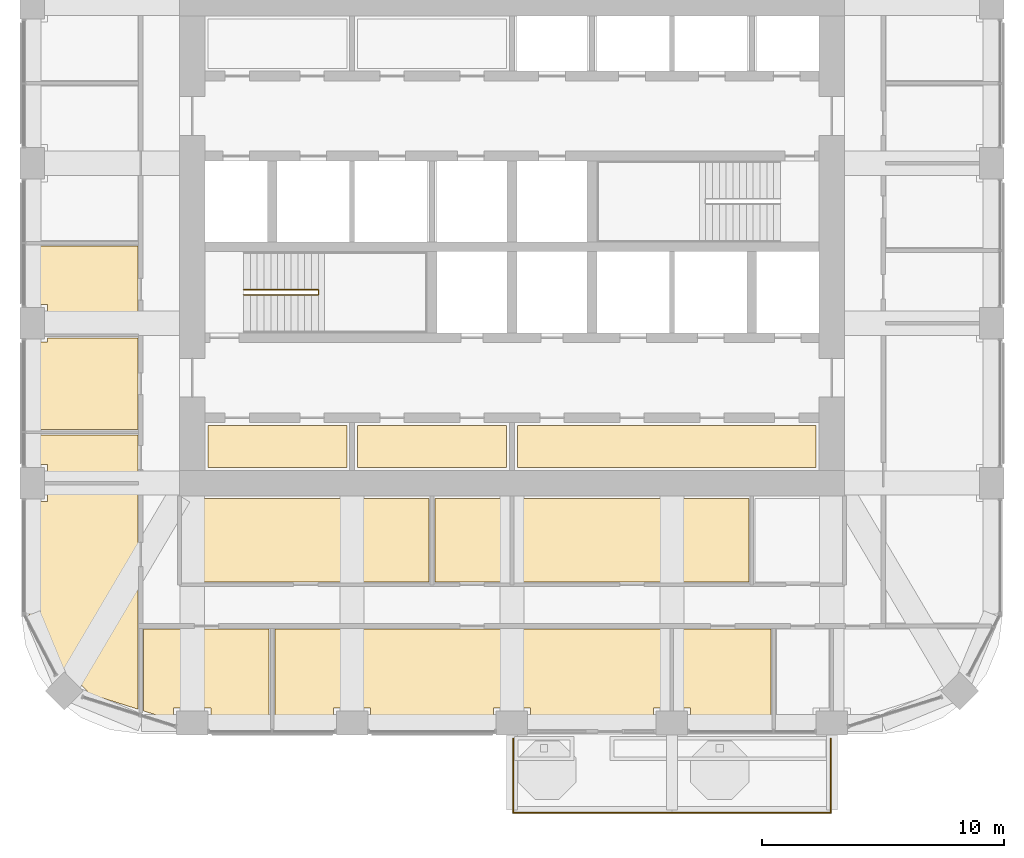
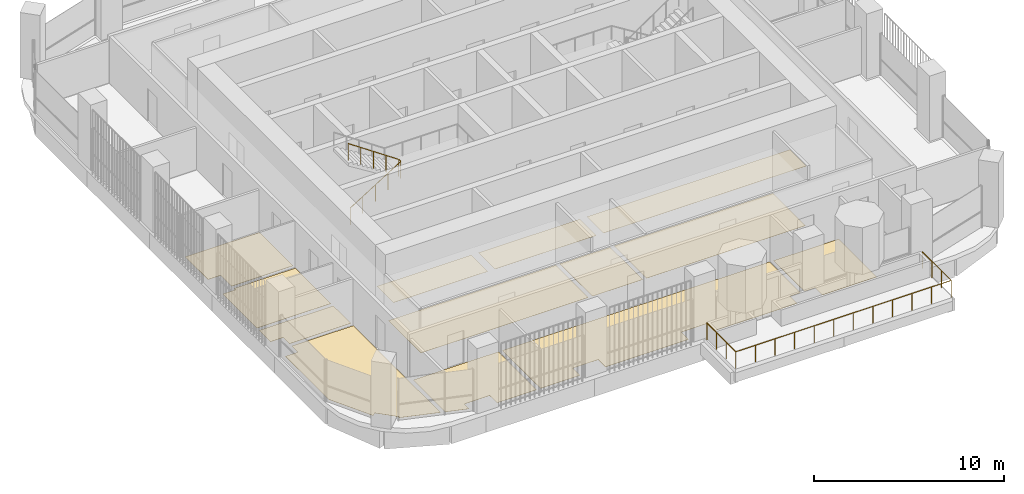
# One storey, part 17 of 20: 13 coverings, 2 railings.
"""IFC4 building model written with IfcOpenShell, lengths in metres."""

from ifc_helpers import new_model, si_unit, direction, frame, origin, place, context, subcontext, project, spatial, polyline, outline, extrude, material, layer, layer_set, type_object, element, save


model = new_model("IFC4")

# Units and contexts
model_context = context("Model", 3, precision=1e-05, world=origin(), true_north=direction((0.0, 1.0)))
body_context = subcontext(model_context, "Body", "Model", "MODEL_VIEW")
ifc_project = project(units=[si_unit("LENGTHUNIT", "METRE"), si_unit("AREAUNIT", "SQUARE_METRE"), si_unit("VOLUMEUNIT", "CUBIC_METRE"), si_unit("PLANEANGLEUNIT", "RADIAN"), si_unit("MASSUNIT", "GRAM", prefix="KILO")], contexts=[model_context])

# Site, building, storey
site_placement = place(None, origin())
site = spatial("IfcSite", under=ifc_project, at=site_placement, CompositionType="ELEMENT")
building_placement = place(site_placement, origin())
building = spatial("IfcBuilding", under=site, at=building_placement, Name="Cobogo Forest Laboratory Tower", CompositionType="ELEMENT")
storey_placement = place(building_placement, frame((0.0, 0.0, 233.39990234375)))
storey = spatial("IfcBuildingStorey", under=building, at=storey_placement, Name="L53", CompositionType="ELEMENT", Elevation=233.39990234375)

# Railing
ifc_material_1 = material(Name="Laminated glass balustrade", Category="glass")
railing_type_1 = type_object("IfcRailingType", Name="BG1 glass balustrade 1100", PredefinedType="GUARDRAIL", material=ifc_material_1)
railing_1_placement = place(storey_placement, frame((26.449951171875, 2.64990234375, 0.0)))
element("IfcRailing", 1, at=railing_1_placement, inside=storey, type_object=railing_type_1, Name="Balcony balustrade BAL-S1 L53", PredefinedType="GUARDRAIL", context=body_context, shape_type="SweptSolid", body=[
    extrude(outline(polyline([(0.022216796875, 0.00927734375), (0.00927734375, 0.022216796875), (-0.00927734375, 0.022216796875), (-0.022216796875, 0.00927734375), (-0.022216796875, -0.00927734375), (-0.00927734375, -0.022216796875), (0.00927734375, -0.022216796875), (0.022216796875, -0.00927734375), (0.022216796875, 0.00927734375)])), frame((0.0, 0.0, 1.077880859375), z_axis=(0.0, -1.0, 0.0), x_axis=(1.0, 0.0, 0.0)), (0.0, 0.0, 1.0), 3.0498046875),
    extrude(outline(polyline([(0.022216796875, 0.00927734375), (0.00927734375, 0.022216796875), (-0.00927734375, 0.022216796875), (-0.022216796875, 0.00927734375), (-0.022216796875, -0.00927734375), (-0.00927734375, -0.022216796875), (0.00927734375, -0.022216796875), (0.022216796875, -0.00927734375), (0.022216796875, 0.00927734375)])), frame((0.0, -3.0498046875, 1.077880859375), z_axis=(1.0, 0.0, 0.0), x_axis=(0.0, 1.0, 0.0)), (0.0, 0.0, 1.0), 13.10009765625),
    extrude(outline(polyline([(0.022216796875, 0.00927734375), (0.00927734375, 0.022216796875), (-0.00927734375, 0.022216796875), (-0.022216796875, 0.00927734375), (-0.022216796875, -0.00927734375), (-0.00927734375, -0.022216796875), (0.00927734375, -0.022216796875), (0.022216796875, -0.00927734375), (0.022216796875, 0.00927734375)])), frame((13.10009765625, -3.0498046875, 1.077880859375), z_axis=(0.0, 1.0, 0.0), x_axis=(-1.0, 0.0, 0.0)), (0.0, 0.0, 1.0), 3.0498046875),
    extrude(outline(polyline([(0.019287109375, 0.008056640625), (0.008056640625, 0.019287109375), (-0.008056640625, 0.019287109375), (-0.019287109375, 0.008056640625), (-0.019287109375, -0.008056640625), (-0.008056640625, -0.019287109375), (0.008056640625, -0.019287109375), (0.019287109375, -0.008056640625), (0.019287109375, 0.008056640625)])), origin(), (0.0, 0.0, 1.0), 1.077880859375),
    extrude(outline(polyline([(0.019287109375, 0.008056640625), (0.008056640625, 0.019287109375), (-0.008056640625, 0.019287109375), (-0.019287109375, 0.008056640625), (-0.019287109375, -0.008056640625), (-0.008056640625, -0.019287109375), (0.008056640625, -0.019287109375), (0.019287109375, -0.008056640625), (0.019287109375, 0.008056640625)])), frame((0.0, -1.0166015625, 0.0)), (0.0, 0.0, 1.0), 1.077880859375),
    extrude(outline(polyline([(0.019287109375, 0.008056640625), (0.008056640625, 0.019287109375), (-0.008056640625, 0.019287109375), (-0.019287109375, 0.008056640625), (-0.019287109375, -0.008056640625), (-0.008056640625, -0.019287109375), (0.008056640625, -0.019287109375), (0.019287109375, -0.008056640625), (0.019287109375, 0.008056640625)])), frame((0.0, -2.033203125, 0.0)), (0.0, 0.0, 1.0), 1.077880859375),
    extrude(outline(polyline([(0.019287109375, 0.008056640625), (0.008056640625, 0.019287109375), (-0.008056640625, 0.019287109375), (-0.019287109375, 0.008056640625), (-0.019287109375, -0.008056640625), (-0.008056640625, -0.019287109375), (0.008056640625, -0.019287109375), (0.019287109375, -0.008056640625), (0.019287109375, 0.008056640625)])), frame((0.0, -3.0498046875, 0.0)), (0.0, 0.0, 1.0), 1.077880859375),
    extrude(outline(polyline([(0.019287109375, 0.008056640625), (0.008056640625, 0.019287109375), (-0.008056640625, 0.019287109375), (-0.019287109375, 0.008056640625), (-0.019287109375, -0.008056640625), (-0.008056640625, -0.019287109375), (0.008056640625, -0.019287109375), (0.019287109375, -0.008056640625), (0.019287109375, 0.008056640625)])), frame((1.19091796875, -3.0498046875, 0.0)), (0.0, 0.0, 1.0), 1.077880859375),
    extrude(outline(polyline([(0.019287109375, 0.008056640625), (0.008056640625, 0.019287109375), (-0.008056640625, 0.019287109375), (-0.019287109375, 0.008056640625), (-0.019287109375, -0.008056640625), (-0.008056640625, -0.019287109375), (0.008056640625, -0.019287109375), (0.019287109375, -0.008056640625), (0.019287109375, 0.008056640625)])), frame((2.3818359375, -3.0498046875, 0.0)), (0.0, 0.0, 1.0), 1.077880859375),
    extrude(outline(polyline([(0.019287109375, 0.008056640625), (0.008056640625, 0.019287109375), (-0.008056640625, 0.019287109375), (-0.019287109375, 0.008056640625), (-0.019287109375, -0.008056640625), (-0.008056640625, -0.019287109375), (0.008056640625, -0.019287109375), (0.019287109375, -0.008056640625), (0.019287109375, 0.008056640625)])), frame((3.57275390625, -3.0498046875, 0.0)), (0.0, 0.0, 1.0), 1.077880859375),
    extrude(outline(polyline([(0.019287109375, 0.008056640625), (0.008056640625, 0.019287109375), (-0.008056640625, 0.019287109375), (-0.019287109375, 0.008056640625), (-0.019287109375, -0.008056640625), (-0.008056640625, -0.019287109375), (0.008056640625, -0.019287109375), (0.019287109375, -0.008056640625), (0.019287109375, 0.008056640625)])), frame((4.763671875, -3.0498046875, 0.0)), (0.0, 0.0, 1.0), 1.077880859375),
    extrude(outline(polyline([(0.019287109375, 0.008056640625), (0.008056640625, 0.019287109375), (-0.008056640625, 0.019287109375), (-0.019287109375, 0.008056640625), (-0.019287109375, -0.008056640625), (-0.008056640625, -0.019287109375), (0.008056640625, -0.019287109375), (0.019287109375, -0.008056640625), (0.019287109375, 0.008056640625)])), frame((5.95458984375, -3.0498046875, 0.0)), (0.0, 0.0, 1.0), 1.077880859375),
    extrude(outline(polyline([(0.019287109375, 0.008056640625), (0.008056640625, 0.019287109375), (-0.008056640625, 0.019287109375), (-0.019287109375, 0.008056640625), (-0.019287109375, -0.008056640625), (-0.008056640625, -0.019287109375), (0.008056640625, -0.019287109375), (0.019287109375, -0.008056640625), (0.019287109375, 0.008056640625)])), frame((7.1455078125, -3.0498046875, 0.0)), (0.0, 0.0, 1.0), 1.077880859375),
    extrude(outline(polyline([(0.019287109375, 0.008056640625), (0.008056640625, 0.019287109375), (-0.008056640625, 0.019287109375), (-0.019287109375, 0.008056640625), (-0.019287109375, -0.008056640625), (-0.008056640625, -0.019287109375), (0.008056640625, -0.019287109375), (0.019287109375, -0.008056640625), (0.019287109375, 0.008056640625)])), frame((8.33642578125, -3.0498046875, 0.0)), (0.0, 0.0, 1.0), 1.077880859375),
    extrude(outline(polyline([(0.019287109375, 0.008056640625), (0.008056640625, 0.019287109375), (-0.008056640625, 0.019287109375), (-0.019287109375, 0.008056640625), (-0.019287109375, -0.008056640625), (-0.008056640625, -0.019287109375), (0.008056640625, -0.019287109375), (0.019287109375, -0.008056640625), (0.019287109375, 0.008056640625)])), frame((9.52734375, -3.0498046875, 0.0)), (0.0, 0.0, 1.0), 1.077880859375),
    extrude(outline(polyline([(0.019287109375, 0.008056640625), (0.008056640625, 0.019287109375), (-0.008056640625, 0.019287109375), (-0.019287109375, 0.008056640625), (-0.019287109375, -0.008056640625), (-0.008056640625, -0.019287109375), (0.008056640625, -0.019287109375), (0.019287109375, -0.008056640625), (0.019287109375, 0.008056640625)])), frame((10.71826171875, -3.0498046875, 0.0)), (0.0, 0.0, 1.0), 1.077880859375),
    extrude(outline(polyline([(0.019287109375, 0.008056640625), (0.008056640625, 0.019287109375), (-0.008056640625, 0.019287109375), (-0.019287109375, 0.008056640625), (-0.019287109375, -0.008056640625), (-0.008056640625, -0.019287109375), (0.008056640625, -0.019287109375), (0.019287109375, -0.008056640625), (0.019287109375, 0.008056640625)])), frame((11.9091796875, -3.0498046875, 0.0)), (0.0, 0.0, 1.0), 1.077880859375),
    extrude(outline(polyline([(0.019287109375, 0.008056640625), (0.008056640625, 0.019287109375), (-0.008056640625, 0.019287109375), (-0.019287109375, 0.008056640625), (-0.019287109375, -0.008056640625), (-0.008056640625, -0.019287109375), (0.008056640625, -0.019287109375), (0.019287109375, -0.008056640625), (0.019287109375, 0.008056640625)])), frame((13.10009765625, -3.0498046875, 0.0)), (0.0, 0.0, 1.0), 1.077880859375),
    extrude(outline(polyline([(0.019287109375, 0.008056640625), (0.008056640625, 0.019287109375), (-0.008056640625, 0.019287109375), (-0.019287109375, 0.008056640625), (-0.019287109375, -0.008056640625), (-0.008056640625, -0.019287109375), (0.008056640625, -0.019287109375), (0.019287109375, -0.008056640625), (0.019287109375, 0.008056640625)])), frame((13.10009765625, -2.033203125, 0.0)), (0.0, 0.0, 1.0), 1.077880859375),
    extrude(outline(polyline([(0.019287109375, 0.008056640625), (0.008056640625, 0.019287109375), (-0.008056640625, 0.019287109375), (-0.019287109375, 0.008056640625), (-0.019287109375, -0.008056640625), (-0.008056640625, -0.019287109375), (0.008056640625, -0.019287109375), (0.019287109375, -0.008056640625), (0.019287109375, 0.008056640625)])), frame((13.10009765625, -1.0166015625, 0.0)), (0.0, 0.0, 1.0), 1.077880859375),
    extrude(outline(polyline([(0.019287109375, 0.008056640625), (0.008056640625, 0.019287109375), (-0.008056640625, 0.019287109375), (-0.019287109375, 0.008056640625), (-0.019287109375, -0.008056640625), (-0.008056640625, -0.019287109375), (0.008056640625, -0.019287109375), (0.019287109375, -0.008056640625), (0.019287109375, 0.008056640625)])), frame((13.10009765625, 0.0, 0.0)), (0.0, 0.0, 1.0), 1.077880859375),
])

# Coverings
ifc_material_2 = material(Name="Carpet tile on raised access floor", Category="flooring")
ifc_layer_1 = layer(ifc_material_2, 0.008056640625)
ifc_layer_set_1 = layer_set([ifc_layer_1], Name="CT1 carpet tile floor 8")
covering_type_1 = type_object("IfcCoveringType", Name="CT1 carpet tile floor 8", PredefinedType="FLOORING", material=ifc_layer_set_1)
covering_1_placement = place(storey_placement, origin())
element("IfcCovering", 2, at=covering_1_placement, inside=storey, type_object=covering_type_1, Name="Carpet floor L53-04", PredefinedType="FLOORING", context=body_context, shape_type="SweptSolid", body=[
    extrude(outline(polyline([(22.97998046875, 9.1201171875), (12.794921875, 9.1201171875), (12.794921875, 12.554931640625), (22.97998046875, 12.554931640625), (22.97998046875, 9.1201171875)])), origin(), (0.0, 0.0, 1.0), 0.008056640625),
])
covering_2_placement = place(storey_placement, origin())
element("IfcCovering", 3, at=covering_2_placement, inside=storey, type_object=covering_type_1, Name="Carpet floor L53-05", PredefinedType="FLOORING", context=body_context, shape_type="SweptSolid", body=[
    extrude(outline(polyline([(26.280029296875, 9.1201171875), (23.219970703125, 9.1201171875), (23.219970703125, 12.554931640625), (26.280029296875, 12.554931640625), (26.280029296875, 9.1201171875)])), origin(), (0.0, 0.0, 1.0), 0.008056640625),
])
covering_3_placement = place(storey_placement, origin())
element("IfcCovering", 4, at=covering_3_placement, inside=storey, type_object=covering_type_1, Name="Carpet floor L53-06", PredefinedType="FLOORING", context=body_context, shape_type="SweptSolid", body=[
    extrude(outline(polyline([(36.179931640625, 9.1201171875), (26.52001953125, 9.1201171875), (26.52001953125, 12.554931640625), (36.179931640625, 12.554931640625), (36.179931640625, 9.1201171875)])), origin(), (0.0, 0.0, 1.0), 0.008056640625),
])
covering_4_placement = place(storey_placement, origin())
element("IfcCovering", 5, at=covering_4_placement, inside=storey, type_object=covering_type_1, Name="Carpet floor L53-08", PredefinedType="FLOORING", context=body_context, shape_type="SweptSolid", body=[
    extrude(outline(polyline([(16.3798828125, 7.179931640625), (16.3798828125, 3.14990234375), (13.969970703125, 3.14990234375), (13.969970703125, 3.919921875), (12.429931640625, 3.919921875), (12.429931640625, 3.40283203125), (11.195068359375, 3.79296875), (11.195068359375, 7.179931640625), (16.3798828125, 7.179931640625)])), origin(), (0.0, 0.0, 1.0), 0.008056640625),
])
covering_5_placement = place(storey_placement, origin())
element("IfcCovering", 6, at=covering_5_placement, inside=storey, type_object=covering_type_1, Name="Carpet floor L53-09", PredefinedType="FLOORING", context=body_context, shape_type="SweptSolid", body=[
    extrude(outline(polyline([(32.8798828125, 7.179931640625), (32.8798828125, 3.919921875), (32.22998046875, 3.919921875), (32.22998046875, 3.14990234375), (27.169921875, 3.14990234375), (27.169921875, 3.919921875), (25.6298828125, 3.919921875), (25.6298828125, 3.14990234375), (20.570068359375, 3.14990234375), (20.570068359375, 3.919921875), (19.030029296875, 3.919921875), (19.030029296875, 3.14990234375), (16.6201171875, 3.14990234375), (16.6201171875, 7.179931640625), (32.8798828125, 7.179931640625)])), origin(), (0.0, 0.0, 1.0), 0.008056640625),
])
covering_6_placement = place(storey_placement, origin())
element("IfcCovering", 7, at=covering_6_placement, inside=storey, type_object=covering_type_1, Name="Carpet floor L53-10", PredefinedType="FLOORING", context=body_context, shape_type="SweptSolid", body=[
    extrude(outline(polyline([(37.080078125, 7.179931640625), (37.080078125, 3.14990234375), (33.77001953125, 3.14990234375), (33.77001953125, 3.919921875), (33.1201171875, 3.919921875), (33.1201171875, 7.179931640625), (37.080078125, 7.179931640625)])), origin(), (0.0, 0.0, 1.0), 0.008056640625),
])
covering_7_placement = place(storey_placement, origin())
element("IfcCovering", 8, at=covering_7_placement, inside=storey, type_object=covering_type_1, Name="Carpet floor L53-22", PredefinedType="FLOORING", context=body_context, shape_type="SweptSolid", body=[
    extrude(outline(polyline([(8.797607421875, 4.550048828125), (8.865478515625, 4.617919921875), (7.91796875, 5.5654296875), (7.740234375, 5.387939453125), (6.449951171875, 7.84912109375), (6.449951171875, 12.429931640625), (7.219970703125, 12.429931640625), (7.219970703125, 13.080078125), (10.955078125, 13.080078125), (10.955078125, 3.86865234375), (8.797607421875, 4.550048828125)])), origin(), (0.0, 0.0, 1.0), 0.008056640625),
])
covering_8_placement = place(storey_placement, origin())
element("IfcCovering", 9, at=covering_8_placement, inside=storey, type_object=covering_type_1, Name="Carpet floor L53-36", PredefinedType="FLOORING", context=body_context, shape_type="SweptSolid", body=[
    extrude(outline(polyline([(26.179931640625, 13.844970703125), (20.02001953125, 13.844970703125), (20.02001953125, 15.580078125), (26.179931640625, 15.580078125), (26.179931640625, 13.844970703125)])), origin(), (0.0, 0.0, 1.0), 0.008056640625),
])
covering_9_placement = place(storey_placement, origin())
element("IfcCovering", 10, at=covering_9_placement, inside=storey, type_object=covering_type_1, Name="Carpet floor L53-37", PredefinedType="FLOORING", context=body_context, shape_type="SweptSolid", body=[
    extrude(outline(polyline([(38.955078125, 13.844970703125), (26.6201171875, 13.844970703125), (26.6201171875, 15.580078125), (38.955078125, 15.580078125), (38.955078125, 13.844970703125)])), origin(), (0.0, 0.0, 1.0), 0.008056640625),
])

# Railing
ifc_material_3 = material(Name="Steel balustrade", Category="steel")
railing_type_2 = type_object("IfcRailingType", Name="GR stair guard 1100", PredefinedType="GUARDRAIL", material=ifc_material_3)
railing_2_placement = place(storey_placement, frame((15.324951171875, 20.969970703125, 0.175048828125)))
element("IfcRailing", 11, at=railing_2_placement, inside=storey, type_object=railing_type_2, Name="Stair guard ST1 L53", PredefinedType="GUARDRAIL", context=body_context, shape_type="SweptSolid", body=[
    extrude(outline(polyline([(0.022216796875, 0.00927734375), (0.00927734375, 0.022216796875), (-0.00927734375, 0.022216796875), (-0.022216796875, 0.00927734375), (-0.022216796875, -0.00927734375), (-0.00927734375, -0.022216796875), (0.00927734375, -0.022216796875), (0.022216796875, -0.00927734375), (0.022216796875, 0.00927734375)])), frame((0.0, 0.0, 1.077880859375), z_axis=(0.847998304005, 0.0, 0.529998940003), x_axis=(0.0, 1.0, 0.0)), (0.0, 0.0, 1.0), 3.632080078125),
    extrude(outline(polyline([(0.022216796875, 0.00927734375), (0.00927734375, 0.022216796875), (-0.00927734375, 0.022216796875), (-0.022216796875, 0.00927734375), (-0.022216796875, -0.00927734375), (-0.00927734375, -0.022216796875), (0.00927734375, -0.022216796875), (0.022216796875, -0.00927734375), (0.022216796875, 0.00927734375)])), frame((3.080078125, 0.0, 3.0029296875), z_axis=(0.0, 1.0, 0.0), x_axis=(-1.0, 0.0, 0.0)), (0.0, 0.0, 1.0), 0.2099609375),
    extrude(outline(polyline([(0.022216796875, 0.00927734375), (0.00927734375, 0.022216796875), (-0.00927734375, 0.022216796875), (-0.022216796875, 0.00927734375), (-0.022216796875, -0.00927734375), (-0.00927734375, -0.022216796875), (0.00927734375, -0.022216796875), (0.022216796875, -0.00927734375), (0.022216796875, 0.00927734375)])), frame((3.080078125, 0.2099609375, 3.0029296875), z_axis=(-0.826221800596, 0.0, 0.563344953133), x_axis=(0.0, -1.0, 0.0)), (0.0, 0.0, 1.0), 3.72802734375),
    extrude(outline(polyline([(0.019287109375, 0.008056640625), (0.008056640625, 0.019287109375), (-0.008056640625, 0.019287109375), (-0.019287109375, 0.008056640625), (-0.019287109375, -0.008056640625), (-0.008056640625, -0.019287109375), (0.008056640625, -0.019287109375), (0.019287109375, -0.008056640625), (0.019287109375, 0.008056640625)])), origin(), (0.0, 0.0, 1.0), 1.077880859375),
    extrude(outline(polyline([(0.019287109375, 0.008056640625), (0.008056640625, 0.019287109375), (-0.008056640625, 0.019287109375), (-0.019287109375, 0.008056640625), (-0.019287109375, -0.008056640625), (-0.008056640625, -0.019287109375), (0.008056640625, -0.019287109375), (0.019287109375, -0.008056640625), (0.019287109375, 0.008056640625)])), frame((0.77001953125, 0.0, 0.481201171875)), (0.0, 0.0, 1.0), 1.077880859375),
    extrude(outline(polyline([(0.019287109375, 0.008056640625), (0.008056640625, 0.019287109375), (-0.008056640625, 0.019287109375), (-0.019287109375, 0.008056640625), (-0.019287109375, -0.008056640625), (-0.008056640625, -0.019287109375), (0.008056640625, -0.019287109375), (0.019287109375, -0.008056640625), (0.019287109375, 0.008056640625)])), frame((1.5400390625, 0.0, 0.96240234375)), (0.0, 0.0, 1.0), 1.077880859375),
    extrude(outline(polyline([(0.019287109375, 0.008056640625), (0.008056640625, 0.019287109375), (-0.008056640625, 0.019287109375), (-0.019287109375, 0.008056640625), (-0.019287109375, -0.008056640625), (-0.008056640625, -0.019287109375), (0.008056640625, -0.019287109375), (0.019287109375, -0.008056640625), (0.019287109375, 0.008056640625)])), frame((2.31005859375, 0.0, 1.44384765625)), (0.0, 0.0, 1.0), 1.077880859375),
    extrude(outline(polyline([(0.019287109375, 0.008056640625), (0.008056640625, 0.019287109375), (-0.008056640625, 0.019287109375), (-0.019287109375, 0.008056640625), (-0.019287109375, -0.008056640625), (-0.008056640625, -0.019287109375), (0.008056640625, -0.019287109375), (0.019287109375, -0.008056640625), (0.019287109375, 0.008056640625)])), frame((3.080078125, 0.0, 1.925048828125)), (0.0, 0.0, 1.0), 1.077880859375),
    extrude(outline(polyline([(0.019287109375, 0.008056640625), (0.008056640625, 0.019287109375), (-0.008056640625, 0.019287109375), (-0.019287109375, 0.008056640625), (-0.019287109375, -0.008056640625), (-0.008056640625, -0.019287109375), (0.008056640625, -0.019287109375), (0.019287109375, -0.008056640625), (0.019287109375, 0.008056640625)])), frame((3.080078125, 0.2099609375, 1.925048828125)), (0.0, 0.0, 1.0), 1.077880859375),
    extrude(outline(polyline([(0.019287109375, 0.008056640625), (0.008056640625, 0.019287109375), (-0.008056640625, 0.019287109375), (-0.019287109375, 0.008056640625), (-0.019287109375, -0.008056640625), (-0.008056640625, -0.019287109375), (0.008056640625, -0.019287109375), (0.019287109375, -0.008056640625), (0.019287109375, 0.008056640625)])), frame((2.31005859375, 0.2099609375, 2.4501953125)), (0.0, 0.0, 1.0), 1.077880859375),
    extrude(outline(polyline([(0.019287109375, 0.008056640625), (0.008056640625, 0.019287109375), (-0.008056640625, 0.019287109375), (-0.019287109375, 0.008056640625), (-0.019287109375, -0.008056640625), (-0.008056640625, -0.019287109375), (0.008056640625, -0.019287109375), (0.019287109375, -0.008056640625), (0.019287109375, 0.008056640625)])), frame((1.5400390625, 0.2099609375, 2.97509765625)), (0.0, 0.0, 1.0), 1.077880859375),
    extrude(outline(polyline([(0.019287109375, 0.008056640625), (0.008056640625, 0.019287109375), (-0.008056640625, 0.019287109375), (-0.019287109375, 0.008056640625), (-0.019287109375, -0.008056640625), (-0.008056640625, -0.019287109375), (0.008056640625, -0.019287109375), (0.019287109375, -0.008056640625), (0.019287109375, 0.008056640625)])), frame((0.77001953125, 0.2099609375, 3.5)), (0.0, 0.0, 1.0), 1.077880859375),
    extrude(outline(polyline([(0.019287109375, 0.008056640625), (0.008056640625, 0.019287109375), (-0.008056640625, 0.019287109375), (-0.019287109375, 0.008056640625), (-0.019287109375, -0.008056640625), (-0.008056640625, -0.019287109375), (0.008056640625, -0.019287109375), (0.019287109375, -0.008056640625), (0.019287109375, 0.008056640625)])), frame((0.0, 0.2099609375, 4.025146484375)), (0.0, 0.0, 1.0), 1.077880859375),
])

# Coverings
ifc_material_4 = material(Name="Ceramic floor tile", Category="flooring")
ifc_layer_2 = layer(ifc_material_4, 0.010009765625)
ifc_layer_set_2 = layer_set([ifc_layer_2], Name="TF1 ceramic tile floor 10")
covering_type_2 = type_object("IfcCoveringType", Name="TF1 ceramic tile floor 10", PredefinedType="FLOORING", material=ifc_layer_set_2)
covering_10_placement = place(storey_placement, origin())
element("IfcCovering", 12, at=covering_10_placement, inside=storey, type_object=covering_type_2, Name="Tile floor L53-23", PredefinedType="FLOORING", context=body_context, shape_type="SweptSolid", body=[
    extrude(outline(polyline([(10.955078125, 13.320068359375), (7.219970703125, 13.320068359375), (7.219970703125, 13.969970703125), (6.449951171875, 13.969970703125), (6.449951171875, 15.179931640625), (10.955078125, 15.179931640625), (10.955078125, 13.320068359375)])), origin(), (0.0, 0.0, 1.0), 0.010009765625),
])
covering_11_placement = place(storey_placement, origin())
element("IfcCovering", 13, at=covering_11_placement, inside=storey, type_object=covering_type_2, Name="Tile floor L53-24", PredefinedType="FLOORING", context=body_context, shape_type="SweptSolid", body=[
    extrude(outline(polyline([(10.955078125, 15.419921875), (6.449951171875, 15.419921875), (6.449951171875, 19.030029296875), (7.219970703125, 19.030029296875), (7.219970703125, 19.179931640625), (10.955078125, 19.179931640625), (10.955078125, 15.419921875)])), origin(), (0.0, 0.0, 1.0), 0.010009765625),
])
covering_12_placement = place(storey_placement, origin())
element("IfcCovering", 14, at=covering_12_placement, inside=storey, type_object=covering_type_2, Name="Tile floor L53-25", PredefinedType="FLOORING", context=body_context, shape_type="SweptSolid", body=[
    extrude(outline(polyline([(10.955078125, 19.419921875), (7.219970703125, 19.419921875), (7.219970703125, 20.570068359375), (6.449951171875, 20.570068359375), (6.449951171875, 22.97998046875), (10.955078125, 22.97998046875), (10.955078125, 19.419921875)])), origin(), (0.0, 0.0, 1.0), 0.010009765625),
])
covering_13_placement = place(storey_placement, origin())
element("IfcCovering", 15, at=covering_13_placement, inside=storey, type_object=covering_type_2, Name="Tile floor L53-35", PredefinedType="FLOORING", context=body_context, shape_type="SweptSolid", body=[
    extrude(outline(polyline([(19.580078125, 13.844970703125), (13.844970703125, 13.844970703125), (13.844970703125, 15.580078125), (19.580078125, 15.580078125), (19.580078125, 13.844970703125)])), origin(), (0.0, 0.0, 1.0), 0.010009765625),
])

save(model, "model.ifc")
